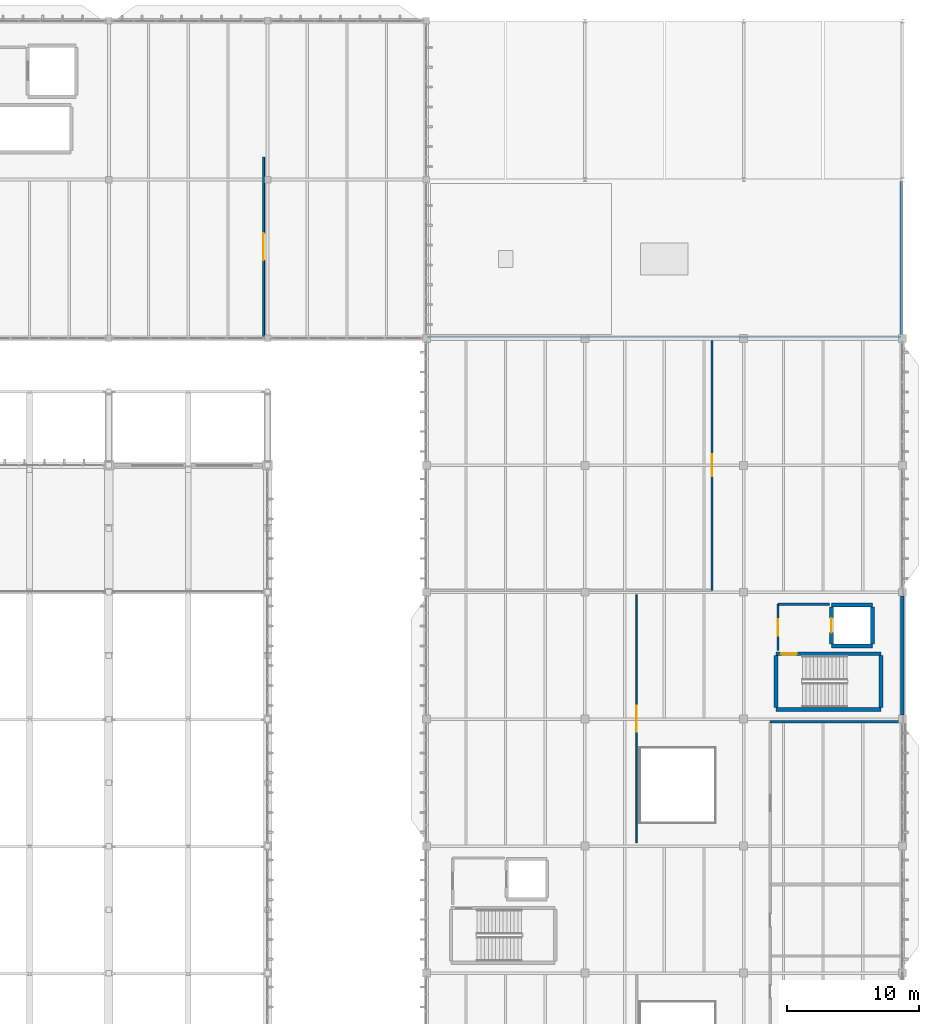
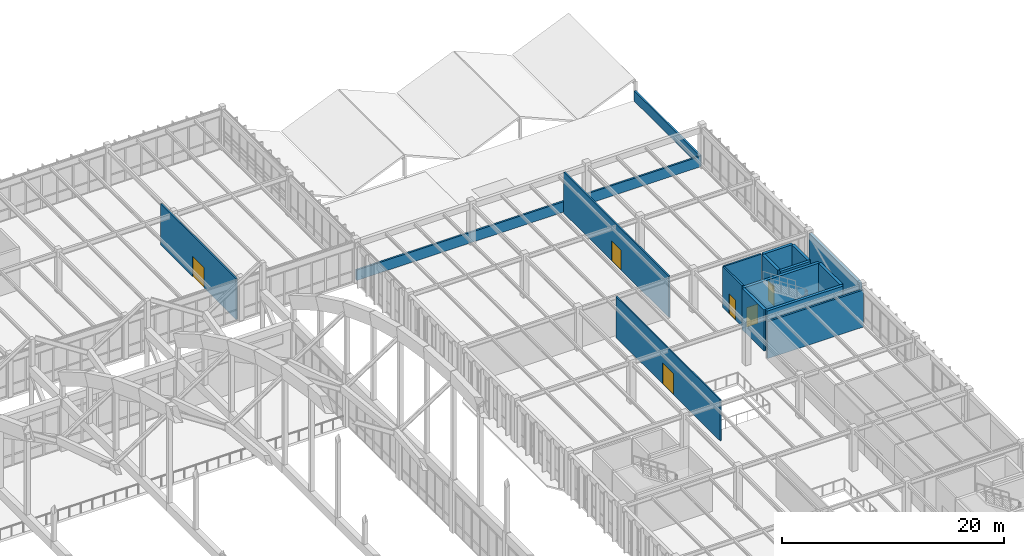
# One storey, part 223 of 236: 17 walls, 6 doors, 6 openings.
"""IFC4 building model written with IfcOpenShell, lengths in metres."""

from ifc_helpers import new_model, si_unit, direction, frame, frame_2d, origin, place, context, subcontext, project, spatial, rectangle, extrude, material, layer, layer_set, type_object, element, fill, save


model = new_model("IFC4")

# Units and contexts
model_context = context("Model", 3, precision=1e-05, world=origin(), true_north=direction((0.0, 1.0)))
body_context = subcontext(model_context, "Body", "Model", "MODEL_VIEW")
ifc_project = project(units=[si_unit("LENGTHUNIT", "METRE"), si_unit("AREAUNIT", "SQUARE_METRE"), si_unit("VOLUMEUNIT", "CUBIC_METRE"), si_unit("PLANEANGLEUNIT", "RADIAN"), si_unit("MASSUNIT", "GRAM", prefix="KILO")], contexts=[model_context])

# Site, building, storey
site_placement = place(None, origin())
site = spatial("IfcSite", under=ifc_project, at=site_placement, CompositionType="ELEMENT")
building_placement = place(site_placement, origin())
building = spatial("IfcBuilding", under=site, at=building_placement, Name="Pandanus Reach Market Hall", CompositionType="ELEMENT")
storey_placement = place(building_placement, frame((0.0, 0.0, 5.39990234375)))
storey = spatial("IfcBuildingStorey", under=building, at=storey_placement, Name="L01", CompositionType="ELEMENT", Elevation=5.39990234375)

# Wall
ifc_material_1 = material(Name="Concrete N40 (40 MPa)", Category="concrete")
ifc_layer_1 = layer(ifc_material_1, 0.300048828125, Name="WL-CORE-300")
ifc_layer_set_1 = layer_set([ifc_layer_1], Name="Concrete N40 (40 MPa)")
wall_type_1 = type_object("IfcWallType", Name="WL-CORE-300", PredefinedType="SHEAR", material=ifc_layer_set_1)
wall_1_placement = place(storey_placement, frame((170.449951171875, 67.949951171875, 0.0), z_axis=(0.0, 0.0, 1.0), x_axis=(1.0, 0.0, 0.0)))
element("IfcWall", 1, at=wall_1_placement, inside=storey, type_object=wall_type_1, Name="Internal wall WL-CORE-300 WL-0230", PredefinedType="SHEAR", context=body_context, shape_type="SweptSolid", body=[
    extrude(rectangle(XDim=7.920166015625, YDim=0.300048828125, at=frame_2d((3.9599609375, 0.0))), origin(), (0.0, 0.0, 1.0), 4.52001953125),
])

# Wall, opening, door
wall_2_placement = place(storey_placement, frame((170.449951171875, 72.14990234375, 0.0), z_axis=(0.0, 0.0, 1.0), x_axis=(1.0, 0.0, 0.0)))
wall_2 = element("IfcWall", 2, at=wall_2_placement, inside=storey, type_object=wall_type_1, Name="Internal wall WL-CORE-300 WL-0231", PredefinedType="SHEAR", context=body_context, shape_type="SweptSolid", body=[
    extrude(rectangle(XDim=7.920166015625, YDim=0.300048828125, at=frame_2d((3.9599609375, 0.0))), origin(), (0.0, 0.0, 1.0), 4.52001953125),
])
opening_1_placement = place(wall_2_placement, frame((0.39990234375, 0.0, 0.0)))
opening_1 = element("IfcOpeningElement", 3, at=opening_1_placement, cuts=wall_2, Name="Opening DR-FD1", PredefinedType="OPENING", context=body_context, shape_type="SweptSolid", body=[
    extrude(rectangle(XDim=1.14990234375, YDim=2.14990234375, at=frame_2d((0.574951171875, 1.074951171875))), frame((0.0, 0.1650390625, 0.0), z_axis=(0.0, -1.0, 0.0), x_axis=(1.0, 0.0, 0.0)), (0.0, 0.0, 1.0), 0.330078125),
])
ifc_material_2 = material(Name="Fire-rated steel door", Category="steel")
door_type_1 = type_object("IfcDoorType", Name="DR-FD1", OperationType="NOTDEFINED", PredefinedType="DOOR", material=ifc_material_2)
door_1_placement = place(opening_1_placement, frame((1.14990234375, 0.0, 0.0), z_axis=(0.0, 0.0, 1.0), x_axis=(-1.0, 0.0, 0.0)))
door_1 = element("IfcDoor", 4, at=door_1_placement, inside=storey, type_object=door_type_1, Name="Fire stair door ST-02 L01", OperationType="SINGLE_SWING_RIGHT", OverallHeight=2.14990234375, OverallWidth=1.14990234375, PredefinedType="DOOR", context=body_context, shape_type="SweptSolid", body=[
    extrude(rectangle(XDim=1.14990234375, YDim=2.14990234375, at=frame_2d((0.574951171875, 1.074951171875))), frame((0.0, 0.02490234375, 0.0), z_axis=(0.0, -1.0, 0.0), x_axis=(1.0, 0.0, 0.0)), (0.0, 0.0, 1.0), 0.050048828125),
])
fill(opening_1, door_1)

# Walls
for number, where, z_axis, x_axis, name in (
    (5, (170.449951171875, 68.10009765625, 0.0), (0.0, 0.0, 1.0), (0.0, 1.0, 0.0), "Internal wall WL-CORE-300 WL-0232"),
    (6, (178.3701171875, 68.10009765625, 0.0), (0.0, 0.0, 1.0), (0.0, 1.0, 0.0), "Internal wall WL-CORE-300 WL-0233"),
):
    element("IfcWall", number, at=place(storey_placement, frame(where, z_axis=z_axis, x_axis=x_axis)), inside=storey, type_object=wall_type_1, Name=name, PredefinedType="SHEAR", context=body_context, shape_type="SweptSolid", body=[
        extrude(rectangle(XDim=3.89990234375, YDim=0.300048828125, at=frame_2d((1.949951171875, 0.0))), origin(), (0.0, 0.0, 1.0), 4.52001953125),
    ])
for number, where, z_axis, x_axis, name in (
    (7, (174.64990234375, 72.75, 0.0), (0.0, 0.0, 1.0), (1.0, 0.0, 0.0), "Internal wall WL-CORE-300 WL-0234"),
    (8, (174.64990234375, 75.85009765625, 0.0), (0.0, 0.0, 1.0), (1.0, 0.0, 0.0), "Internal wall WL-CORE-300 WL-0235"),
):
    element("IfcWall", number, at=place(storey_placement, frame(where, z_axis=z_axis, x_axis=x_axis)), inside=storey, type_object=wall_type_1, Name=name, PredefinedType="SHEAR", context=body_context, shape_type="SweptSolid", body=[
        extrude(rectangle(XDim=3.10009765625, YDim=0.300048828125, at=frame_2d((1.550048828125, 0.0))), origin(), (0.0, 0.0, 1.0), 4.52001953125),
    ])
wall_3_placement = place(storey_placement, frame((177.75, 72.89990234375, 0.0), z_axis=(0.0, 0.0, 1.0), x_axis=(0.0, 1.0, 0.0)))
element("IfcWall", 9, at=wall_3_placement, inside=storey, type_object=wall_type_1, Name="Internal wall WL-CORE-300 WL-0236", PredefinedType="SHEAR", context=body_context, shape_type="SweptSolid", body=[
    extrude(rectangle(XDim=2.800048828125, YDim=0.300048828125, at=frame_2d((1.39990234375, 0.0))), origin(), (0.0, 0.0, 1.0), 4.52001953125),
])

# Wall, opening, door
wall_4_placement = place(storey_placement, frame((174.64990234375, 72.89990234375, 0.0), z_axis=(0.0, 0.0, 1.0), x_axis=(0.0, 1.0, 0.0)))
wall_4 = element("IfcWall", 10, at=wall_4_placement, inside=storey, type_object=wall_type_1, Name="Internal wall WL-CORE-300 WL-0237", PredefinedType="SHEAR", context=body_context, shape_type="SweptSolid", body=[
    extrude(rectangle(XDim=2.800048828125, YDim=0.300048828125, at=frame_2d((1.39990234375, 0.0))), origin(), (0.0, 0.0, 1.0), 4.52001953125),
])
opening_2_placement = place(wall_4_placement, frame((0.85009765625, 0.0, 0.0)))
opening_2 = element("IfcOpeningElement", 11, at=opening_2_placement, cuts=wall_4, Name="Opening LD-01", PredefinedType="OPENING", context=body_context, shape_type="SweptSolid", body=[
    extrude(rectangle(XDim=1.10009765625, YDim=2.14990234375, at=frame_2d((0.550048828125, 1.074951171875))), frame((0.0, 0.1650390625, 0.0), z_axis=(0.0, -1.0, 0.0), x_axis=(1.0, 0.0, 0.0)), (0.0, 0.0, 1.0), 0.330078125),
])
ifc_material_3 = material(Name="Stainless steel lift landing door", Category="steel")
door_type_2 = type_object("IfcDoorType", Name="LD-01", OperationType="SLIDING_TO_LEFT", PredefinedType="DOOR", material=ifc_material_3)
door_2_placement = place(opening_2_placement, origin())
door_2 = element("IfcDoor", 12, at=door_2_placement, inside=storey, type_object=door_type_2, Name="Lift landing door LF-02 LD-01 27", OperationType="SLIDING_TO_LEFT", OverallHeight=2.14990234375, OverallWidth=1.10009765625, PredefinedType="DOOR", context=body_context, shape_type="SweptSolid", body=[
    extrude(rectangle(XDim=1.10009765625, YDim=2.14990234375, at=frame_2d((0.550048828125, 1.074951171875))), frame((0.0, 0.02490234375, 0.0), z_axis=(0.0, -1.0, 0.0), x_axis=(1.0, 0.0, 0.0)), (0.0, 0.0, 1.0), 0.050048828125),
])
fill(opening_2, door_2)

# Walls
ifc_material_4 = material(Name="Precast concrete S50 (50 MPa)", Category="concrete")
ifc_layer_2 = layer(ifc_material_4, 0.280029296875, Name="WL-EXT-280")
ifc_layer_set_2 = layer_set([ifc_layer_2], Name="Precast concrete S50 (50 MPa)")
wall_type_2 = type_object("IfcWallType", Name="WL-EXT-280", PredefinedType="SOLIDWALL", material=ifc_layer_set_2)
wall_5_placement = place(storey_placement, frame((180.0, 67.5, 0.0), z_axis=(0.0, 0.0, 1.0), x_axis=(0.0, 1.0, 0.0)))
element("IfcWall", 13, at=wall_5_placement, inside=storey, type_object=wall_type_2, Name="External wall WL-EXT-280 WL-0099", PredefinedType="SOLIDWALL", context=body_context, shape_type="SweptSolid", body=[
    extrude(rectangle(XDim=9.0, YDim=0.280029296875, at=frame_2d((4.5, 0.0))), origin(), (0.0, 0.0, 1.0), 4.5),
])
ifc_layer_3 = layer(ifc_material_1, 0.199951171875, Name="WL-FIRE-200")
ifc_layer_set_3 = layer_set([ifc_layer_3], Name="Concrete N40 (40 MPa)")
wall_type_3 = type_object("IfcWallType", Name="WL-FIRE-200", PredefinedType="SOLIDWALL", material=ifc_layer_set_3)
wall_6_placement = place(storey_placement, frame((170.0, 67.0, 0.0), z_axis=(0.0, 0.0, 1.0), x_axis=(1.0, 0.0, 0.0)))
element("IfcWall", 14, at=wall_6_placement, inside=storey, type_object=wall_type_3, Name="Internal wall WL-FIRE-200 WL-0529", PredefinedType="SOLIDWALL", context=body_context, shape_type="SweptSolid", body=[
    extrude(rectangle(XDim=9.9599609375, YDim=0.199951171875, at=frame_2d((4.97998046875, 0.0))), origin(), (0.0, 0.0, 1.0), 4.07763671875),
])

# Wall, opening, door
ifc_layer_4 = layer(ifc_material_1, 0.175048828125, Name="WL-LOB-175")
ifc_layer_set_4 = layer_set([ifc_layer_4], Name="Concrete N40 (40 MPa)")
wall_type_4 = type_object("IfcWallType", Name="WL-LOB-175", PredefinedType="PARTITIONING", material=ifc_layer_set_4)
wall_7_placement = place(storey_placement, frame((170.60009765625, 72.39990234375, 0.0), z_axis=(0.0, 0.0, 1.0), x_axis=(0.0, 1.0, 0.0)))
wall_7 = element("IfcWall", 15, at=wall_7_placement, inside=storey, type_object=wall_type_4, Name="Internal wall WL-LOB-175 WL-0238", PredefinedType="PARTITIONING", context=body_context, shape_type="SweptSolid", body=[
    extrude(rectangle(XDim=3.5, YDim=0.175048828125, at=frame_2d((1.75, 0.0))), origin(), (0.0, 0.0, 1.0), 4.52001953125),
])
opening_3_placement = place(wall_7_placement, frame((1.125, 0.0, 0.0)))
opening_3 = element("IfcOpeningElement", 16, at=opening_3_placement, cuts=wall_7, Name="Opening DR-FD2", PredefinedType="OPENING", context=body_context, shape_type="SweptSolid", body=[
    extrude(rectangle(XDim=1.25, YDim=2.199951171875, at=frame_2d((0.625, 1.10009765625))), frame((0.0, 0.1025390625, 0.0), z_axis=(0.0, -1.0, 0.0), x_axis=(1.0, 0.0, 0.0)), (0.0, 0.0, 1.0), 0.205078125),
])
door_type_3 = type_object("IfcDoorType", Name="DR-FD2", OperationType="NOTDEFINED", PredefinedType="DOOR", material=ifc_material_2)
door_3_placement = place(opening_3_placement, frame((1.25, 0.0, 0.0), z_axis=(0.0, 0.0, 1.0), x_axis=(-1.0, 0.0, 0.0)))
door_3 = element("IfcDoor", 17, at=door_3_placement, inside=storey, type_object=door_type_3, Name="Core C2 lobby fire door DR-FD2 28", OperationType="SINGLE_SWING_LEFT", OverallHeight=2.199951171875, OverallWidth=1.25, PredefinedType="DOOR", context=body_context, shape_type="SweptSolid", body=[
    extrude(rectangle(XDim=1.25, YDim=2.199951171875, at=frame_2d((0.625, 1.10009765625))), frame((0.0, 0.02490234375, 0.0), z_axis=(0.0, -1.0, 0.0), x_axis=(1.0, 0.0, 0.0)), (0.0, 0.0, 1.0), 0.050048828125),
])
fill(opening_3, door_3)

# Walls
wall_8_placement = place(storey_placement, frame((170.60009765625, 75.89990234375, 0.0), z_axis=(0.0, 0.0, 1.0), x_axis=(1.0, 0.0, 0.0)))
element("IfcWall", 18, at=wall_8_placement, inside=storey, type_object=wall_type_4, Name="Internal wall WL-LOB-175 WL-0239", PredefinedType="PARTITIONING", context=body_context, shape_type="SweptSolid", body=[
    extrude(rectangle(XDim=3.89990234375, YDim=0.175048828125, at=frame_2d((1.949951171875, 0.0))), origin(), (0.0, 0.0, 1.0), 4.52001953125),
])
ifc_layer_5 = layer(ifc_material_4, 0.18505859375, Name="WL-PAR-185")
ifc_layer_set_5 = layer_set([ifc_layer_5], Name="Precast concrete S50 (50 MPa)")
wall_type_5 = type_object("IfcWallType", Name="WL-PAR-185", PredefinedType="PARAPET", material=ifc_layer_set_5)
wall_9_placement = place(storey_placement, frame((144.10009765625, 96.10009765625, 0.0), z_axis=(0.0, 0.0, 1.0), x_axis=(1.0, 0.0, 0.0)))
element("IfcWall", 19, at=wall_9_placement, inside=storey, type_object=wall_type_5, Name="Roof parapet WL-PAR-185 L01.3", PredefinedType="PARAPET", context=body_context, shape_type="SweptSolid", body=[
    extrude(rectangle(XDim=35.7998046875, YDim=0.18505859375, at=frame_2d((17.89990234375, 0.0))), origin(), (0.0, 0.0, 1.0), 1.150146484375),
])
wall_10_placement = place(storey_placement, frame((179.89990234375, 96.10009765625, 0.0), z_axis=(0.0, 0.0, 1.0), x_axis=(0.0, 1.0, 0.0)))
element("IfcWall", 20, at=wall_10_placement, inside=storey, type_object=wall_type_5, Name="Roof parapet WL-PAR-185 L01.4", PredefinedType="PARAPET", context=body_context, shape_type="SweptSolid", body=[
    extrude(rectangle(XDim=11.7998046875, YDim=0.18505859375, at=frame_2d((5.89990234375, 0.0))), origin(), (0.0, 0.0, 1.0), 1.150146484375),
])

# Wall, opening, door
ifc_material_5 = material(Name="Lightweight plasterboard stud partition", Category="gypsum")
ifc_layer_6 = layer(ifc_material_5, 0.1201171875, Name="WL-PRT-120")
ifc_layer_set_6 = layer_set([ifc_layer_6], Name="Lightweight plasterboard stud partition")
wall_type_6 = type_object("IfcWallType", Name="WL-PRT-120", PredefinedType="PARTITIONING", material=ifc_layer_set_6)
wall_11_placement = place(storey_placement, frame((159.89990234375, 57.85009765625, 0.0), z_axis=(0.0, 0.0, 1.0), x_axis=(0.0, 1.0, 0.0)))
wall_11 = element("IfcWall", 21, at=wall_11_placement, inside=storey, type_object=wall_type_6, Name="Internal wall WL-PRT-120 WL-0522", PredefinedType="PARTITIONING", context=body_context, shape_type="SweptSolid", body=[
    extrude(rectangle(XDim=18.75, YDim=0.1201171875, at=frame_2d((9.375, 0.0))), origin(), (0.0, 0.0, 1.0), 4.52001953125),
])
opening_4_placement = place(wall_11_placement, frame((8.39990234375, 0.0, 0.0)))
opening_4 = element("IfcOpeningElement", 22, at=opening_4_placement, cuts=wall_11, Name="Opening DR-I19", PredefinedType="OPENING", context=body_context, shape_type="SweptSolid", body=[
    extrude(rectangle(XDim=1.949951171875, YDim=2.320068359375, at=frame_2d((0.97509765625, 1.16015625))), frame((0.0, 0.074951171875, 0.0), z_axis=(0.0, -1.0, 0.0), x_axis=(1.0, 0.0, 0.0)), (0.0, 0.0, 1.0), 0.150146484375),
])
ifc_material_6 = material(Name="Wine lounge and cheese cellar double door")
door_type_4 = type_object("IfcDoorType", Name="DR-I19", OperationType="DOUBLE_DOOR_SINGLE_SWING", PredefinedType="DOOR", material=ifc_material_6)
door_4_placement = place(opening_4_placement, origin())
door_4 = element("IfcDoor", 23, at=door_4_placement, inside=storey, type_object=door_type_4, Name="Queensland wine tasting lounge door DR-I19 138", OperationType="DOUBLE_DOOR_SINGLE_SWING", OverallHeight=2.320068359375, OverallWidth=1.949951171875, PredefinedType="DOOR", context=body_context, shape_type="SweptSolid", body=[
    extrude(rectangle(XDim=1.949951171875, YDim=2.320068359375, at=frame_2d((0.97509765625, 1.16015625))), frame((0.0, 0.02490234375, 0.0), z_axis=(0.0, -1.0, 0.0), x_axis=(1.0, 0.0, 0.0)), (0.0, 0.0, 1.0), 0.050048828125),
])
fill(opening_4, door_4)

ifc_material_7 = material(Name="Acoustic plasterboard on steel framing", Category="steel")
ifc_layer_7 = layer(ifc_material_7, 0.14990234375, Name="WL-PRT-150")
ifc_layer_set_7 = layer_set([ifc_layer_7], Name="Acoustic plasterboard on steel framing")
wall_type_7 = type_object("IfcWallType", Name="WL-PRT-150", PredefinedType="PARTITIONING", material=ifc_layer_set_7)
wall_12_placement = place(storey_placement, frame((165.60009765625, 76.949951171875, 0.0), z_axis=(0.0, 0.0, 1.0), x_axis=(0.0, 1.0, 0.0)))
wall_12 = element("IfcWall", 24, at=wall_12_placement, inside=storey, type_object=wall_type_7, Name="Internal wall WL-PRT-150 WL-0524", PredefinedType="PARTITIONING", context=body_context, shape_type="SweptSolid", body=[
    extrude(rectangle(XDim=18.900146484375, YDim=0.14990234375, at=frame_2d((9.4501953125, 0.0))), origin(), (0.0, 0.0, 1.0), 4.52001953125),
])
opening_5_placement = place(wall_12_placement, frame((8.625, 0.0, 0.0)))
opening_5 = element("IfcOpeningElement", 25, at=opening_5_placement, cuts=wall_12, Name="Opening DR-I16", PredefinedType="OPENING", context=body_context, shape_type="SweptSolid", body=[
    extrude(rectangle(XDim=1.64990234375, YDim=2.199951171875, at=frame_2d((0.824951171875, 1.10009765625))), frame((0.0, 0.08984375, 0.0), z_axis=(0.0, -1.0, 0.0), x_axis=(1.0, 0.0, 0.0)), (0.0, 0.0, 1.0), 0.179931640625),
])
ifc_material_8 = material(Name="Double glazed culinary studio door")
door_type_5 = type_object("IfcDoorType", Name="DR-I16", OperationType="DOUBLE_DOOR_SINGLE_SWING", PredefinedType="DOOR", material=ifc_material_8)
door_5_placement = place(opening_5_placement, origin())
door_5 = element("IfcDoor", 26, at=door_5_placement, inside=storey, type_object=door_type_5, Name="Chocolate and gelato lab door DR-I16 139", OperationType="DOUBLE_DOOR_SINGLE_SWING", OverallHeight=2.199951171875, OverallWidth=1.64990234375, PredefinedType="DOOR", context=body_context, shape_type="SweptSolid", body=[
    extrude(rectangle(XDim=1.64990234375, YDim=2.199951171875, at=frame_2d((0.824951171875, 1.10009765625))), frame((0.0, 0.02490234375, 0.0), z_axis=(0.0, -1.0, 0.0), x_axis=(1.0, 0.0, 0.0)), (0.0, 0.0, 1.0), 0.050048828125),
])
fill(opening_5, door_5)

wall_13_placement = place(storey_placement, frame((131.699951171875, 96.14990234375, 0.0), z_axis=(0.0, 0.0, 1.0), x_axis=(0.0, 1.0, 0.0)))
wall_13 = element("IfcWall", 27, at=wall_13_placement, inside=storey, type_object=wall_type_7, Name="Internal wall WL-PRT-150 WL-0535", PredefinedType="PARTITIONING", context=body_context, shape_type="SweptSolid", body=[
    extrude(rectangle(XDim=13.550048828125, YDim=0.14990234375, at=frame_2d((6.77490234375, 0.0))), origin(), (0.0, 0.0, 1.0), 4.52001953125),
])
opening_6_placement = place(wall_13_placement, frame((5.75, 0.0, 0.0)))
opening_6 = element("IfcOpeningElement", 28, at=opening_6_placement, cuts=wall_13, Name="Opening DR-I20", PredefinedType="OPENING", context=body_context, shape_type="SweptSolid", body=[
    extrude(rectangle(XDim=2.050048828125, YDim=2.25, at=frame_2d((1.02490234375, 1.125))), frame((0.0, 0.08984375, 0.0), z_axis=(0.0, -1.0, 0.0), x_axis=(1.0, 0.0, 0.0)), (0.0, 0.0, 1.0), 0.179931640625),
])
ifc_material_9 = material(Name="Double cold-chain pallet corridor door")
door_type_6 = type_object("IfcDoorType", Name="DR-I20", OperationType="DOUBLE_DOOR_SINGLE_SWING", PredefinedType="DOOR", material=ifc_material_9)
door_6_placement = place(opening_6_placement, origin())
door_6 = element("IfcDoor", 29, at=door_6_placement, inside=storey, type_object=door_type_6, Name="Commissary prep foyer door DR-I20 145", OperationType="DOUBLE_DOOR_SINGLE_SWING", OverallHeight=2.25, OverallWidth=2.050048828125, PredefinedType="DOOR", context=body_context, shape_type="SweptSolid", body=[
    extrude(rectangle(XDim=2.050048828125, YDim=2.25, at=frame_2d((1.02490234375, 1.125))), frame((0.0, 0.02490234375, 0.0), z_axis=(0.0, -1.0, 0.0), x_axis=(1.0, 0.0, 0.0)), (0.0, 0.0, 1.0), 0.050048828125),
])
fill(opening_6, door_6)

save(model, "model.ifc")
